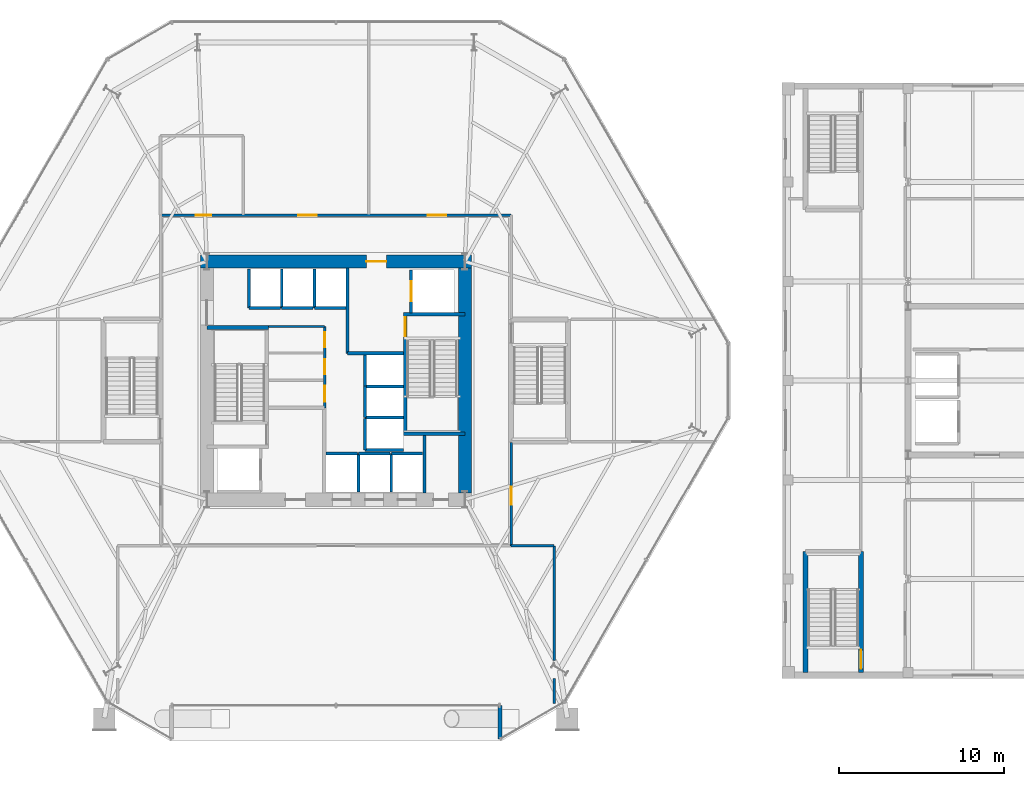
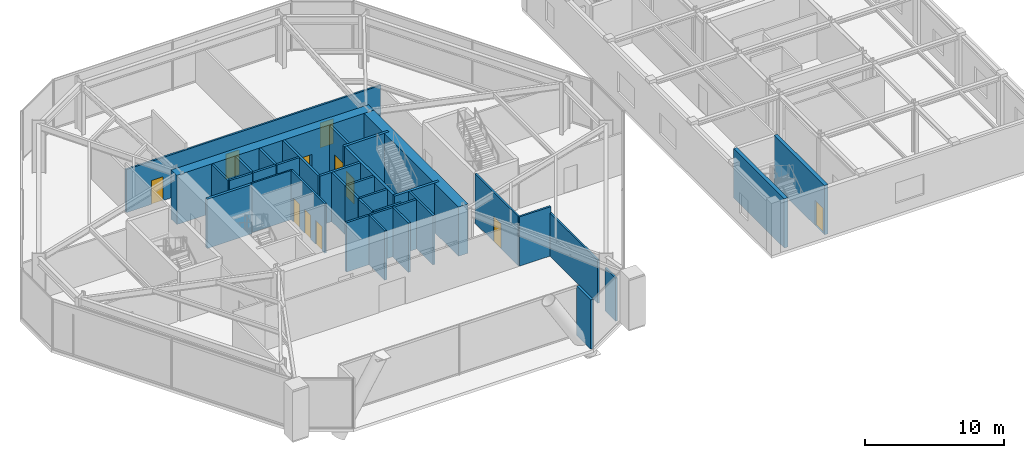
# One storey, part 16 of 23: 37 walls, 11 doors, 11 openings.
"""IFC4 building model written with IfcOpenShell, lengths in metres."""

from ifc_helpers import new_model, si_unit, direction, frame, frame_2d, origin, place, context, subcontext, project, spatial, rectangle, extrude, material, layer, layer_set, type_object, element, fill, save


model = new_model("IFC4")

# Units and contexts
model_context = context("Model", 3, precision=1e-05, world=origin(), true_north=direction((0.0, 1.0)))
body_context = subcontext(model_context, "Body", "Model", "MODEL_VIEW")
ifc_project = project(units=[si_unit("LENGTHUNIT", "METRE"), si_unit("AREAUNIT", "SQUARE_METRE"), si_unit("VOLUMEUNIT", "CUBIC_METRE"), si_unit("PLANEANGLEUNIT", "RADIAN"), si_unit("MASSUNIT", "GRAM", prefix="KILO")], contexts=[model_context])

# Site, building, storey
site_placement = place(None, origin())
site = spatial("IfcSite", under=ifc_project, at=site_placement, CompositionType="ELEMENT")
building_placement = place(site_placement, origin())
building = spatial("IfcBuilding", under=site, at=building_placement, Name="Kranzbogen Civic Tower", CompositionType="ELEMENT")
storey_placement = place(building_placement, frame((0.0, 0.0, 9.800048828125)))
storey = spatial("IfcBuildingStorey", under=building, at=storey_placement, Name="L02", CompositionType="ELEMENT", Elevation=9.800048828125)

# Wall, openings, doors
ifc_material_1 = material(Name="Double-Stud Acoustic Gypsum Partition")
ifc_layer_1 = layer(ifc_material_1, 0.14990234375, Name="Double-Stud Acoustic Gypsum Partition")
ifc_layer_set_1 = layer_set([ifc_layer_1], Name="Double-Stud Acoustic Gypsum Partition")
wall_type_1 = type_object("IfcWallType", Name="Acoustic Corridor and Clinical Partition 150 mm", PredefinedType="PARTITIONING", material=ifc_layer_set_1)
wall_1_placement = place(storey_placement, frame((14.39990234375, 35.0, 0.0), z_axis=(0.0, 0.0, 1.0), x_axis=(1.0, 0.0, 0.0)))
wall_1 = element("IfcWall", 1, at=wall_1_placement, inside=storey, type_object=wall_type_1, Name="L02 podium concourse N wall", PredefinedType="PARTITIONING", context=body_context, shape_type="SweptSolid", body=[
    extrude(rectangle(XDim=21.2001953125, YDim=0.14990234375, at=frame_2d((10.60009765625, 0.0))), origin(), (0.0, 0.0, 1.0), 3.7900390625),
])
opening_1_placement = place(wall_1_placement, frame((2.1201171875, 0.0, 0.0)))
opening_1 = element("IfcOpeningElement", 2, at=opening_1_placement, cuts=wall_1, Name="Opening D-AWC95", PredefinedType="OPENING", context=body_context, shape_type="SweptSolid", body=[
    extrude(rectangle(XDim=0.949951171875, YDim=2.10009765625, at=frame_2d((0.47509765625, 1.050048828125))), frame((0.0, 0.0849609375, 0.0), z_axis=(0.0, -1.0, 0.0), x_axis=(1.0, 0.0, 0.0)), (0.0, 0.0, 1.0), 0.169921875),
])
opening_2_placement = place(wall_1_placement, frame((8.339111328125, 0.0, 0.0)))
opening_2 = element("IfcOpeningElement", 3, at=opening_2_placement, cuts=wall_1, Name="Opening D-COR60", PredefinedType="OPENING", context=body_context, shape_type="SweptSolid", body=[
    extrude(rectangle(XDim=1.10009765625, YDim=2.199951171875, at=frame_2d((0.550048828125, 1.10009765625))), frame((0.0, 0.0849609375, 0.0), z_axis=(0.0, -1.0, 0.0), x_axis=(1.0, 0.0, 0.0)), (0.0, 0.0, 1.0), 0.169921875),
])
opening_3_placement = place(wall_1_placement, frame((16.166015625, 0.0, 0.0)))
opening_3 = element("IfcOpeningElement", 4, at=opening_3_placement, cuts=wall_1, Name="Opening D-COR60", PredefinedType="OPENING", context=body_context, shape_type="SweptSolid", body=[
    extrude(rectangle(XDim=1.10009765625, YDim=2.199951171875, at=frame_2d((0.550048828125, 1.10009765625))), frame((0.0, 0.0849609375, 0.0), z_axis=(0.0, -1.0, 0.0), x_axis=(1.0, 0.0, 0.0)), (0.0, 0.0, 1.0), 0.169921875),
])
ifc_material_2 = material(Name="Moisture-Resistant Laminate")
door_type_1 = type_object("IfcDoorType", Name="Accessible Restroom Door 950x2100", OperationType="NOTDEFINED", PredefinedType="DOOR", material=ifc_material_2)
door_1_placement = place(opening_1_placement, origin())
door_1 = element("IfcDoor", 5, at=door_1_placement, inside=storey, type_object=door_type_1, Name="L02 Public Restroom Suite door", OperationType="SINGLE_SWING_RIGHT", OverallHeight=2.10009765625, OverallWidth=0.949951171875, PredefinedType="DOOR", context=body_context, shape_type="SweptSolid", body=[
    extrude(rectangle(XDim=0.949951171875, YDim=2.10009765625, at=frame_2d((0.47509765625, 1.050048828125))), frame((0.0, 0.02490234375, 0.0), z_axis=(0.0, -1.0, 0.0), x_axis=(1.0, 0.0, 0.0)), (0.0, 0.0, 1.0), 0.050048828125),
])
fill(opening_1, door_1)
ifc_material_3 = material(Name="Oak Timber and Fire Core", Category="wood")
door_type_2 = type_object("IfcDoorType", Name="Corridor Acoustic Fire Door 1100x2200", OperationType="NOTDEFINED", PredefinedType="DOOR", material=ifc_material_3)
door_2_placement = place(opening_2_placement, origin())
door_2 = element("IfcDoor", 6, at=door_2_placement, inside=storey, type_object=door_type_2, Name="L02 Council Delegates Foyer door", OperationType="SINGLE_SWING_LEFT", OverallHeight=2.199951171875, OverallWidth=1.10009765625, PredefinedType="DOOR", context=body_context, shape_type="SweptSolid", body=[
    extrude(rectangle(XDim=1.10009765625, YDim=2.199951171875, at=frame_2d((0.550048828125, 1.10009765625))), frame((0.0, 0.02490234375, 0.0), z_axis=(0.0, -1.0, 0.0), x_axis=(1.0, 0.0, 0.0)), (0.0, 0.0, 1.0), 0.050048828125),
])
fill(opening_2, door_2)
door_3_placement = place(opening_3_placement, origin())
door_3 = element("IfcDoor", 7, at=door_3_placement, inside=storey, type_object=door_type_2, Name="L02 Caucus Briefing Room West door", OperationType="SINGLE_SWING_RIGHT", OverallHeight=2.199951171875, OverallWidth=1.10009765625, PredefinedType="DOOR", context=body_context, shape_type="SweptSolid", body=[
    extrude(rectangle(XDim=1.10009765625, YDim=2.199951171875, at=frame_2d((0.550048828125, 1.10009765625))), frame((0.0, 0.02490234375, 0.0), z_axis=(0.0, -1.0, 0.0), x_axis=(1.0, 0.0, 0.0)), (0.0, 0.0, 1.0), 0.050048828125),
])
fill(opening_3, door_3)

# Wall, opening, door
wall_2_placement = place(storey_placement, frame((35.60009765625, 15.0, 0.0), z_axis=(0.0, 0.0, 1.0), x_axis=(0.0, 1.0, 0.0)))
wall_2 = element("IfcWall", 8, at=wall_2_placement, inside=storey, type_object=wall_type_1, Name="L02 podium concourse E1 wall", PredefinedType="PARTITIONING", context=body_context, shape_type="SweptSolid", body=[
    extrude(rectangle(XDim=6.25, YDim=0.14990234375, at=frame_2d((3.125, 0.0))), origin(), (0.0, 0.0, 1.0), 4.33984375),
])
opening_4_placement = place(wall_2_placement, frame((2.486083984375, 0.0, 0.0)))
opening_4 = element("IfcOpeningElement", 9, at=opening_4_placement, cuts=wall_2, Name="Opening D-COR60", PredefinedType="OPENING", context=body_context, shape_type="SweptSolid", body=[
    extrude(rectangle(XDim=1.10009765625, YDim=2.199951171875, at=frame_2d((0.550048828125, 1.10009765625))), frame((0.0, 0.0849609375, 0.0), z_axis=(0.0, -1.0, 0.0), x_axis=(1.0, 0.0, 0.0)), (0.0, 0.0, 1.0), 0.169921875),
])
door_4_placement = place(opening_4_placement, origin())
door_4 = element("IfcDoor", 10, at=door_4_placement, inside=storey, type_object=door_type_2, Name="L02 Caucus Briefing Room East door", OperationType="SINGLE_SWING_LEFT", OverallHeight=2.199951171875, OverallWidth=1.10009765625, PredefinedType="DOOR", context=body_context, shape_type="SweptSolid", body=[
    extrude(rectangle(XDim=1.10009765625, YDim=2.199951171875, at=frame_2d((0.550048828125, 1.10009765625))), frame((0.0, 0.02490234375, 0.0), z_axis=(0.0, -1.0, 0.0), x_axis=(1.0, 0.0, 0.0)), (0.0, 0.0, 1.0), 0.050048828125),
])
fill(opening_4, door_4)

# Walls
wall_3_placement = place(storey_placement, frame((38.199951171875, 5.469970703125, 0.0), z_axis=(0.0, 0.0, 1.0), x_axis=(0.0, 1.0, 0.0)))
element("IfcWall", 11, at=wall_3_placement, inside=storey, type_object=wall_type_1, Name="L02 podium partition 05 part 1", PredefinedType="PARTITIONING", context=body_context, shape_type="SweptSolid", body=[
    extrude(rectangle(XDim=1.52197265625, YDim=0.14990234375, at=frame_2d((0.760986328125, 0.0))), origin(), (0.0, 0.0, 1.0), 3.7900390625),
])
wall_4_placement = place(storey_placement, frame((38.199951171875, 8.080078125, 0.0), z_axis=(0.0, 0.0, 1.0), x_axis=(0.0, 1.0, 0.0)))
element("IfcWall", 12, at=wall_4_placement, inside=storey, type_object=wall_type_1, Name="L02 podium partition 05 part 2", PredefinedType="PARTITIONING", context=body_context, shape_type="SweptSolid", body=[
    extrude(rectangle(XDim=6.919921875, YDim=0.14990234375, at=frame_2d((3.4599609375, 0.0))), origin(), (0.0, 0.0, 1.0), 3.7900390625),
])
wall_5_placement = place(storey_placement, frame((35.60009765625, 15.0, 0.0), z_axis=(0.0, 0.0, 1.0), x_axis=(1.0, 0.0, 0.0)))
element("IfcWall", 13, at=wall_5_placement, inside=storey, type_object=wall_type_1, Name="L02 podium partition 07", PredefinedType="PARTITIONING", context=body_context, shape_type="SweptSolid", body=[
    extrude(rectangle(XDim=2.599853515625, YDim=0.14990234375, at=frame_2d((1.2998046875, 0.0))), origin(), (0.0, 0.0, 1.0), 4.33984375),
])
ifc_material_4 = material(Name="Insulated Metal-Stud Gypsum Partition")
ifc_layer_2 = layer(ifc_material_4, 0.125, Name="Insulated Metal-Stud Gypsum Partition")
ifc_layer_set_2 = layer_set([ifc_layer_2], Name="Insulated Metal-Stud Gypsum Partition")
wall_type_2 = type_object("IfcWallType", Name="Acoustic Inter-Room Partition 125 mm", PredefinedType="PARTITIONING", material=ifc_layer_set_2)
wall_6_placement = place(storey_placement, frame((20.919921875, 28.280029296875, 0.0), z_axis=(0.0, 0.0, 1.0), x_axis=(1.0, 0.0, 0.0)))
element("IfcWall", 14, at=wall_6_placement, inside=storey, type_object=wall_type_2, Name="L02 core auxiliary North wall", PredefinedType="PARTITIONING", context=body_context, shape_type="SweptSolid", body=[
    extrude(rectangle(XDim=3.405029296875, YDim=0.125, at=frame_2d((1.70263671875, 0.0))), origin(), (0.0, 0.0, 1.0), 4.33984375),
])

# Wall, opening, door
ifc_material_5 = material(Name="Concrete C55/67", Category="concrete")
ifc_layer_3 = layer(ifc_material_5, 0.800048828125, Name="Concrete C55/67")
ifc_layer_set_3 = layer_set([ifc_layer_3], Name="Concrete C55/67")
wall_type_3 = type_object("IfcWallType", Name="Central Core Shear Wall 800 mm", PredefinedType="SHEAR", material=ifc_layer_set_3)
wall_7_placement = place(storey_placement, frame((33.199951171875, 32.199951171875, 0.0), z_axis=(0.0, 0.0, 1.0), x_axis=(-1.0, 0.0, 0.0)))
wall_7 = element("IfcWall", 15, at=wall_7_placement, inside=storey, type_object=wall_type_3, Name="L02 central core North shear wall", PredefinedType="SHEAR", context=body_context, shape_type="SweptSolid", body=[
    extrude(rectangle(XDim=16.39990234375, YDim=0.800048828125, at=frame_2d((8.199951171875, 0.0))), origin(), (0.0, 0.0, 1.0), 4.33984375),
])
opening_5_placement = place(wall_7_placement, frame((5.14990234375, 0.0, 0.0)))
opening_5 = element("IfcOpeningElement", 16, at=opening_5_placement, cuts=wall_7, Name="Opening D-EX120", PredefinedType="OPENING", context=body_context, shape_type="SweptSolid", body=[
    extrude(rectangle(XDim=1.199951171875, YDim=2.25, at=frame_2d((0.60009765625, 1.125))), frame((0.0, 0.41015625, 0.0), z_axis=(0.0, -1.0, 0.0), x_axis=(1.0, 0.0, 0.0)), (0.0, 0.0, 1.0), 0.820068359375),
])
ifc_material_6 = material(Name="Steel S355", Category="steel")
door_type_3 = type_object("IfcDoorType", Name="Exit Passageway Fire Door 1200x2250", OperationType="NOTDEFINED", PredefinedType="DOOR", material=ifc_material_6)
door_5_placement = place(opening_5_placement, origin())
door_5 = element("IfcDoor", 17, at=door_5_placement, inside=storey, type_object=door_type_3, Name="L02 East firefighting lobby corridor door", OperationType="SINGLE_SWING_RIGHT", OverallHeight=2.25, OverallWidth=1.199951171875, PredefinedType="DOOR", context=body_context, shape_type="SweptSolid", body=[
    extrude(rectangle(XDim=1.199951171875, YDim=2.25, at=frame_2d((0.60009765625, 1.125))), frame((0.0, 0.02490234375, 0.0), z_axis=(0.0, -1.0, 0.0), x_axis=(1.0, 0.0, 0.0)), (0.0, 0.0, 1.0), 0.050048828125),
])
fill(opening_5, door_5)

# Walls
wall_8_placement = place(storey_placement, frame((32.800048828125, 18.199951171875, 0.0), z_axis=(0.0, 0.0, 1.0), x_axis=(0.0, 1.0, 0.0)))
element("IfcWall", 18, at=wall_8_placement, inside=storey, type_object=wall_type_3, Name="L02 central core East shear wall", PredefinedType="SHEAR", context=body_context, shape_type="SweptSolid", body=[
    extrude(rectangle(XDim=13.60009765625, YDim=0.800048828125, at=frame_2d((6.800048828125, 0.0))), origin(), (0.0, 0.0, 1.0), 4.33984375),
])
ifc_material_7 = material(Name="Concrete C45/55", Category="concrete")
ifc_layer_4 = layer(ifc_material_7, 0.219970703125, Name="Concrete C45/55")
ifc_layer_set_4 = layer_set([ifc_layer_4], Name="Concrete C45/55")
wall_type_4 = type_object("IfcWallType", Name="Core Internal Stair Structural Wall 220 mm", PredefinedType="SOLIDWALL", material=ifc_layer_set_4)
wall_9_placement = place(storey_placement, frame((17.199951171875, 28.2099609375, 0.0), z_axis=(0.0, 0.0, 1.0), x_axis=(1.0, 0.0, 0.0)))
element("IfcWall", 19, at=wall_9_placement, inside=storey, type_object=wall_type_4, Name="L02 ST-T1 North structural stair wall", PredefinedType="SOLIDWALL", context=body_context, shape_type="SweptSolid", body=[
    extrude(rectangle(XDim=3.719970703125, YDim=0.219970703125, at=frame_2d((1.85986328125, 0.0))), origin(), (0.0, 0.0, 1.0), 4.33984375),
])

# Wall, opening, door
wall_10_placement = place(storey_placement, frame((29.18994140625, 21.7900390625, 0.0), z_axis=(0.0, 0.0, 1.0), x_axis=(0.0, 1.0, 0.0)))
wall_10 = element("IfcWall", 20, at=wall_10_placement, inside=storey, type_object=wall_type_4, Name="L02 ST-T2 West structural stair wall", PredefinedType="SOLIDWALL", context=body_context, shape_type="SweptSolid", body=[
    extrude(rectangle(XDim=7.219970703125, YDim=0.219970703125, at=frame_2d((3.60986328125, 0.0))), origin(), (0.0, 0.0, 1.0), 4.33984375),
])
opening_6_placement = place(wall_10_placement, frame((5.8798828125, 0.0, 0.0)))
opening_6 = element("IfcOpeningElement", 21, at=opening_6_placement, cuts=wall_10, Name="Opening D-ST90", PredefinedType="OPENING", context=body_context, shape_type="SweptSolid", body=[
    extrude(rectangle(XDim=1.14990234375, YDim=2.199951171875, at=frame_2d((0.574951171875, 1.10009765625))), frame((0.0, 0.1201171875, 0.0), z_axis=(0.0, -1.0, 0.0), x_axis=(1.0, 0.0, 0.0)), (0.0, 0.0, 1.0), 0.239990234375),
])
door_type_4 = type_object("IfcDoorType", Name="Pressurized Stair and Lobby Fire Door 1150x2200", OperationType="NOTDEFINED", PredefinedType="DOOR", material=ifc_material_6)
door_6_placement = place(opening_6_placement, origin())
door_6 = element("IfcDoor", 22, at=door_6_placement, inside=storey, type_object=door_type_4, Name="L02 Stair ST-T2 fire door", OperationType="SINGLE_SWING_RIGHT", OverallHeight=2.199951171875, OverallWidth=1.14990234375, PredefinedType="DOOR", context=body_context, shape_type="SweptSolid", body=[
    extrude(rectangle(XDim=1.14990234375, YDim=2.199951171875, at=frame_2d((0.574951171875, 1.10009765625))), frame((0.0, 0.02490234375, 0.0), z_axis=(0.0, -1.0, 0.0), x_axis=(1.0, 0.0, 0.0)), (0.0, 0.0, 1.0), 0.050048828125),
])
fill(opening_6, door_6)

# Walls
for number, where, z_axis, x_axis, name in (
    (23, (29.080078125, 21.7900390625, 0.0), (0.0, 0.0, 1.0), (1.0, 0.0, 0.0), "L02 ST-T2 South structural stair wall"),
    (24, (29.080078125, 29.010009765625, 0.0), (0.0, 0.0, 1.0), (1.0, 0.0, 0.0), "L02 ST-T2 North structural stair wall"),
):
    element("IfcWall", number, at=place(storey_placement, frame(where, z_axis=z_axis, x_axis=x_axis)), inside=storey, type_object=wall_type_4, Name=name, PredefinedType="SOLIDWALL", context=body_context, shape_type="SweptSolid", body=[
        extrude(rectangle(XDim=3.719970703125, YDim=0.219970703125, at=frame_2d((1.85986328125, 0.0))), origin(), (0.0, 0.0, 1.0), 4.33984375),
    ])
ifc_material_8 = material(Name="Gypsum Fireboard and Concrete Block", Category="concrete")
ifc_layer_5 = layer(ifc_material_8, 0.199951171875, Name="Gypsum Fireboard and Concrete Block")
ifc_layer_set_5 = layer_set([ifc_layer_5], Name="Gypsum Fireboard and Concrete Block")
wall_type_5 = type_object("IfcWallType", Name="Fire-Rated Exit Passageway and Stair Wall 200 mm", PredefinedType="PARTITIONING", material=ifc_layer_set_5)
wall_11_placement = place(storey_placement, frame((25.699951171875, 26.64990234375, 0.0), z_axis=(0.0, 0.0, 1.0), x_axis=(0.0, 1.0, 0.0)))
element("IfcWall", 25, at=wall_11_placement, inside=storey, type_object=wall_type_5, Name="L02 East firefighting lobby West wall", PredefinedType="PARTITIONING", context=body_context, shape_type="SweptSolid", body=[
    extrude(rectangle(XDim=5.150146484375, YDim=0.199951171875, at=frame_2d((2.5751953125, 0.0))), origin(), (0.0, 0.0, 1.0), 4.33984375),
])
wall_12_placement = place(storey_placement, frame((25.699951171875, 26.64990234375, 0.0), z_axis=(0.0, 0.0, 1.0), x_axis=(1.0, 0.0, 0.0)))
element("IfcWall", 26, at=wall_12_placement, inside=storey, type_object=wall_type_5, Name="L02 East firefighting lobby South wall", PredefinedType="PARTITIONING", context=body_context, shape_type="SweptSolid", body=[
    extrude(rectangle(XDim=3.380126953125, YDim=0.199951171875, at=frame_2d((1.68994140625, 0.0))), origin(), (0.0, 0.0, 1.0), 4.33984375),
])
ifc_material_9 = material(Name="Gypsum Fireboard Shaftliner")
ifc_layer_6 = layer(ifc_material_9, 0.175048828125, Name="Gypsum Fireboard Shaftliner")
ifc_layer_set_6 = layer_set([ifc_layer_6], Name="Gypsum Fireboard Shaftliner")
wall_type_6 = type_object("IfcWallType", Name="Fire-Rated Lift and Service Shaft Wall 175 mm", PredefinedType="PARTITIONING", material=ifc_layer_set_6)
wall_13_placement = place(storey_placement, frame((30.35009765625, 18.199951171875, 0.0), z_axis=(0.0, 0.0, 1.0), x_axis=(0.0, 1.0, 0.0)))
element("IfcWall", 27, at=wall_13_placement, inside=storey, type_object=wall_type_6, Name="L02 East core riser West wall", PredefinedType="PARTITIONING", context=body_context, shape_type="SweptSolid", body=[
    extrude(rectangle(XDim=3.47998046875, YDim=0.175048828125, at=frame_2d((1.739990234375, 0.0))), origin(), (0.0, 0.0, 1.0), 4.33984375),
])
wall_14_placement = place(storey_placement, frame((24.39990234375, 20.60009765625, 0.0), z_axis=(0.0, 0.0, 1.0), x_axis=(1.0, 0.0, 0.0)))
element("IfcWall", 28, at=wall_14_placement, inside=storey, type_object=wall_type_6, Name="L02 lift LP-01 rear wall", PredefinedType="PARTITIONING", context=body_context, shape_type="SweptSolid", body=[
    extrude(rectangle(XDim=1.900146484375, YDim=0.175048828125, at=frame_2d((0.9501953125, 0.0))), origin(), (0.0, 0.0, 1.0), 4.33984375),
])
wall_15_placement = place(storey_placement, frame((26.375, 20.60009765625, 0.0), z_axis=(0.0, 0.0, 1.0), x_axis=(1.0, 0.0, 0.0)))
element("IfcWall", 29, at=wall_15_placement, inside=storey, type_object=wall_type_6, Name="L02 lift LP-02 rear wall", PredefinedType="PARTITIONING", context=body_context, shape_type="SweptSolid", body=[
    extrude(rectangle(XDim=1.89990234375, YDim=0.175048828125, at=frame_2d((0.949951171875, 0.0))), origin(), (0.0, 0.0, 1.0), 4.33984375),
])
wall_16_placement = place(storey_placement, frame((26.375, 18.25, 0.0), z_axis=(0.0, 0.0, 1.0), x_axis=(0.0, 1.0, 0.0)))
element("IfcWall", 30, at=wall_16_placement, inside=storey, type_object=wall_type_6, Name="L02 lift LP-02 side wall", PredefinedType="PARTITIONING", context=body_context, shape_type="SweptSolid", body=[
    extrude(rectangle(XDim=2.35009765625, YDim=0.175048828125, at=frame_2d((1.175048828125, 0.0))), origin(), (0.0, 0.0, 1.0), 4.33984375),
])
wall_17_placement = place(storey_placement, frame((28.35009765625, 20.60009765625, 0.0), z_axis=(0.0, 0.0, 1.0), x_axis=(1.0, 0.0, 0.0)))
element("IfcWall", 31, at=wall_17_placement, inside=storey, type_object=wall_type_6, Name="L02 lift LP-03 rear wall", PredefinedType="PARTITIONING", context=body_context, shape_type="SweptSolid", body=[
    extrude(rectangle(XDim=1.89990234375, YDim=0.175048828125, at=frame_2d((0.949951171875, 0.0))), origin(), (0.0, 0.0, 1.0), 4.33984375),
])
wall_18_placement = place(storey_placement, frame((28.35009765625, 18.25, 0.0), z_axis=(0.0, 0.0, 1.0), x_axis=(0.0, 1.0, 0.0)))
element("IfcWall", 32, at=wall_18_placement, inside=storey, type_object=wall_type_6, Name="L02 lift LP-03 side wall", PredefinedType="PARTITIONING", context=body_context, shape_type="SweptSolid", body=[
    extrude(rectangle(XDim=2.35009765625, YDim=0.175048828125, at=frame_2d((1.175048828125, 0.0))), origin(), (0.0, 0.0, 1.0), 4.33984375),
])
wall_19_placement = place(storey_placement, frame((19.75, 29.39990234375, 0.0), z_axis=(0.0, 0.0, 1.0), x_axis=(1.0, 0.0, 0.0)))
element("IfcWall", 33, at=wall_19_placement, inside=storey, type_object=wall_type_6, Name="L02 lift MP-01 rear wall", PredefinedType="PARTITIONING", context=body_context, shape_type="SweptSolid", body=[
    extrude(rectangle(XDim=1.89990234375, YDim=0.175048828125, at=frame_2d((0.949951171875, 0.0))), origin(), (0.0, 0.0, 1.0), 4.33984375),
])
wall_20_placement = place(storey_placement, frame((19.75, 29.39990234375, 0.0), z_axis=(0.0, 0.0, 1.0), x_axis=(0.0, 1.0, 0.0)))
element("IfcWall", 34, at=wall_20_placement, inside=storey, type_object=wall_type_6, Name="L02 lift MP-01 side wall", PredefinedType="PARTITIONING", context=body_context, shape_type="SweptSolid", body=[
    extrude(rectangle(XDim=2.35009765625, YDim=0.175048828125, at=frame_2d((1.175048828125, 0.0))), origin(), (0.0, 0.0, 1.0), 4.33984375),
])
wall_21_placement = place(storey_placement, frame((21.72509765625, 29.39990234375, 0.0), z_axis=(0.0, 0.0, 1.0), x_axis=(1.0, 0.0, 0.0)))
element("IfcWall", 35, at=wall_21_placement, inside=storey, type_object=wall_type_6, Name="L02 lift MP-02 rear wall", PredefinedType="PARTITIONING", context=body_context, shape_type="SweptSolid", body=[
    extrude(rectangle(XDim=1.89990234375, YDim=0.175048828125, at=frame_2d((0.949951171875, 0.0))), origin(), (0.0, 0.0, 1.0), 4.33984375),
])
wall_22_placement = place(storey_placement, frame((21.72509765625, 29.39990234375, 0.0), z_axis=(0.0, 0.0, 1.0), x_axis=(0.0, 1.0, 0.0)))
element("IfcWall", 36, at=wall_22_placement, inside=storey, type_object=wall_type_6, Name="L02 lift MP-02 side wall", PredefinedType="PARTITIONING", context=body_context, shape_type="SweptSolid", body=[
    extrude(rectangle(XDim=2.35009765625, YDim=0.175048828125, at=frame_2d((1.175048828125, 0.0))), origin(), (0.0, 0.0, 1.0), 4.33984375),
])
wall_23_placement = place(storey_placement, frame((23.699951171875, 29.39990234375, 0.0), z_axis=(0.0, 0.0, 1.0), x_axis=(1.0, 0.0, 0.0)))
element("IfcWall", 37, at=wall_23_placement, inside=storey, type_object=wall_type_6, Name="L02 lift MP-03 rear wall", PredefinedType="PARTITIONING", context=body_context, shape_type="SweptSolid", body=[
    extrude(rectangle(XDim=1.900146484375, YDim=0.175048828125, at=frame_2d((0.9501953125, 0.0))), origin(), (0.0, 0.0, 1.0), 4.33984375),
])
wall_24_placement = place(storey_placement, frame((23.699951171875, 29.39990234375, 0.0), z_axis=(0.0, 0.0, 1.0), x_axis=(0.0, 1.0, 0.0)))
element("IfcWall", 38, at=wall_24_placement, inside=storey, type_object=wall_type_6, Name="L02 lift MP-03 side wall", PredefinedType="PARTITIONING", context=body_context, shape_type="SweptSolid", body=[
    extrude(rectangle(XDim=2.35009765625, YDim=0.175048828125, at=frame_2d((1.175048828125, 0.0))), origin(), (0.0, 0.0, 1.0), 4.33984375),
])
wall_25_placement = place(storey_placement, frame((26.75, 20.800048828125, 0.0), z_axis=(0.0, 0.0, 1.0), x_axis=(0.0, 1.0, 0.0)))
element("IfcWall", 39, at=wall_25_placement, inside=storey, type_object=wall_type_6, Name="L02 lift HP-01 landing wall", PredefinedType="PARTITIONING", context=body_context, shape_type="SweptSolid", body=[
    extrude(rectangle(XDim=1.89990234375, YDim=0.175048828125, at=frame_2d((0.949951171875, 0.0))), origin(), (0.0, 0.0, 1.0), 4.33984375),
])
wall_26_placement = place(storey_placement, frame((26.75, 20.800048828125, 0.0), z_axis=(0.0, 0.0, 1.0), x_axis=(1.0, 0.0, 0.0)))
element("IfcWall", 40, at=wall_26_placement, inside=storey, type_object=wall_type_6, Name="L02 lift HP-01 side wall", PredefinedType="PARTITIONING", context=body_context, shape_type="SweptSolid", body=[
    extrude(rectangle(XDim=2.35009765625, YDim=0.175048828125, at=frame_2d((1.175048828125, 0.0))), origin(), (0.0, 0.0, 1.0), 4.33984375),
])
wall_27_placement = place(storey_placement, frame((26.75, 22.77490234375, 0.0), z_axis=(0.0, 0.0, 1.0), x_axis=(0.0, 1.0, 0.0)))
element("IfcWall", 41, at=wall_27_placement, inside=storey, type_object=wall_type_6, Name="L02 lift HP-02 landing wall", PredefinedType="PARTITIONING", context=body_context, shape_type="SweptSolid", body=[
    extrude(rectangle(XDim=1.900146484375, YDim=0.175048828125, at=frame_2d((0.9501953125, 0.0))), origin(), (0.0, 0.0, 1.0), 4.33984375),
])
wall_28_placement = place(storey_placement, frame((26.75, 22.77490234375, 0.0), z_axis=(0.0, 0.0, 1.0), x_axis=(1.0, 0.0, 0.0)))
element("IfcWall", 42, at=wall_28_placement, inside=storey, type_object=wall_type_6, Name="L02 lift HP-02 side wall", PredefinedType="PARTITIONING", context=body_context, shape_type="SweptSolid", body=[
    extrude(rectangle(XDim=2.35009765625, YDim=0.175048828125, at=frame_2d((1.175048828125, 0.0))), origin(), (0.0, 0.0, 1.0), 4.33984375),
])
wall_29_placement = place(storey_placement, frame((26.75, 24.64990234375, 0.0), z_axis=(0.0, 0.0, 1.0), x_axis=(0.0, 1.0, 0.0)))
element("IfcWall", 43, at=wall_29_placement, inside=storey, type_object=wall_type_6, Name="L02 lift HP-03 landing wall", PredefinedType="PARTITIONING", context=body_context, shape_type="SweptSolid", body=[
    extrude(rectangle(XDim=1.900146484375, YDim=0.175048828125, at=frame_2d((0.9501953125, 0.0))), origin(), (0.0, 0.0, 1.0), 4.33984375),
])
wall_30_placement = place(storey_placement, frame((26.75, 24.64990234375, 0.0), z_axis=(0.0, 0.0, 1.0), x_axis=(1.0, 0.0, 0.0)))
element("IfcWall", 44, at=wall_30_placement, inside=storey, type_object=wall_type_6, Name="L02 lift HP-03 side wall", PredefinedType="PARTITIONING", context=body_context, shape_type="SweptSolid", body=[
    extrude(rectangle(XDim=2.35009765625, YDim=0.175048828125, at=frame_2d((1.175048828125, 0.0))), origin(), (0.0, 0.0, 1.0), 4.33984375),
])

# Wall, opening, door
wall_31_placement = place(storey_placement, frame((29.550048828125, 29.10009765625, 0.0), z_axis=(0.0, 0.0, 1.0), x_axis=(0.0, 1.0, 0.0)))
wall_31 = element("IfcWall", 45, at=wall_31_placement, inside=storey, type_object=wall_type_6, Name="L02 lift FF-02 landing wall", PredefinedType="PARTITIONING", context=body_context, shape_type="SweptSolid", body=[
    extrude(rectangle(XDim=2.599853515625, YDim=0.175048828125, at=frame_2d((1.2998046875, 0.0))), origin(), (0.0, 0.0, 1.0), 4.33984375),
])
opening_7_placement = place(wall_31_placement, frame((0.699951171875, 0.0, 0.0)))
opening_7 = element("IfcOpeningElement", 46, at=opening_7_placement, cuts=wall_31, Name="Opening LD-FF-02", PredefinedType="OPENING", context=body_context, shape_type="SweptSolid", body=[
    extrude(rectangle(XDim=1.199951171875, YDim=2.199951171875, at=frame_2d((0.60009765625, 1.10009765625))), frame((0.0, 0.09765625, 0.0), z_axis=(0.0, -1.0, 0.0), x_axis=(1.0, 0.0, 0.0)), (0.0, 0.0, 1.0), 0.195068359375),
])
ifc_material_10 = material(Name="Pale Anodised Aluminium", Category="aluminium")
door_type_5 = type_object("IfcDoorType", Name="Firefighting and Stretcher Lift Sliding Landing Door 1200x2200", OperationType="DOUBLE_DOOR_SLIDING", PredefinedType="DOOR", material=ifc_material_10)
door_7_placement = place(opening_7_placement, origin())
door_7 = element("IfcDoor", 47, at=door_7_placement, inside=storey, type_object=door_type_5, Name="L02 lift FF-02 sliding landing door", OperationType="DOUBLE_DOOR_SLIDING", OverallHeight=2.199951171875, OverallWidth=1.199951171875, PredefinedType="DOOR", context=body_context, shape_type="SweptSolid", body=[
    extrude(rectangle(XDim=1.199951171875, YDim=2.199951171875, at=frame_2d((0.60009765625, 1.10009765625))), frame((0.0, 0.02490234375, 0.0), z_axis=(0.0, -1.0, 0.0), x_axis=(1.0, 0.0, 0.0)), (0.0, 0.0, 1.0), 0.050048828125),
])
fill(opening_7, door_7)

# Wall
ifc_layer_7 = layer(ifc_material_10, 0.239990234375, Name="Pale Anodised Aluminium")
ifc_layer_set_7 = layer_set([ifc_layer_7], Name="Pale Anodised Aluminium")
wall_type_7 = type_object("IfcWallType", Name="Insulated Aluminium Facade Portal Wall 240 mm", PredefinedType="STANDARD", material=ifc_layer_set_7)
wall_32_placement = place(storey_placement, frame((34.929931640625, 5.35009765625, 0.0), z_axis=(0.0, 0.0, 1.0), x_axis=(0.0, -1.0, 0.0)))
element("IfcWall", 48, at=wall_32_placement, inside=storey, type_object=wall_type_7, Name="L02 portal colonnade East return wall", PredefinedType="STANDARD", context=body_context, shape_type="SweptSolid", body=[
    extrude(rectangle(XDim=2.023193359375, YDim=0.239990234375, at=frame_2d((1.01171875, 0.0))), origin(), (0.0, 0.0, 1.0), 4.33984375),
])

# Wall, openings, doors
ifc_material_11 = material(Name="Moisture-Resistant Gypsum Assembly")
ifc_layer_8 = layer(ifc_material_11, 0.159912109375, Name="Moisture-Resistant Gypsum Assembly")
ifc_layer_set_8 = layer_set([ifc_layer_8], Name="Moisture-Resistant Gypsum Assembly")
wall_type_8 = type_object("IfcWallType", Name="Sanitary and Plumbing Wet Wall 160 mm", PredefinedType="PLUMBINGWALL", material=ifc_layer_set_8)
wall_33_placement = place(storey_placement, frame((24.324951171875, 23.35009765625, 0.0), z_axis=(0.0, 0.0, 1.0), x_axis=(0.0, 1.0, 0.0)))
wall_33 = element("IfcWall", 49, at=wall_33_placement, inside=storey, type_object=wall_type_8, Name="L02 core auxiliary East wall", PredefinedType="PLUMBINGWALL", context=body_context, shape_type="SweptSolid", body=[
    extrude(rectangle(XDim=4.929931640625, YDim=0.159912109375, at=frame_2d((2.46484375, 0.0))), origin(), (0.0, 0.0, 1.0), 4.33984375),
])
opening_8_placement = place(wall_33_placement, frame((0.375, 0.0, 0.0)))
opening_8 = element("IfcOpeningElement", 50, at=opening_8_placement, cuts=wall_33, Name="Opening D-AWC95", PredefinedType="OPENING", context=body_context, shape_type="SweptSolid", body=[
    extrude(rectangle(XDim=0.949951171875, YDim=2.10009765625, at=frame_2d((0.47509765625, 1.050048828125))), frame((0.0, 0.08984375, 0.0), z_axis=(0.0, -1.0, 0.0), x_axis=(1.0, 0.0, 0.0)), (0.0, 0.0, 1.0), 0.179931640625),
])
opening_9_placement = place(wall_33_placement, frame((2.034912109375, 0.0, 0.0)))
opening_9 = element("IfcOpeningElement", 51, at=opening_9_placement, cuts=wall_33, Name="Opening D-WC90", PredefinedType="OPENING", context=body_context, shape_type="SweptSolid", body=[
    extrude(rectangle(XDim=0.89990234375, YDim=2.10009765625, at=frame_2d((0.449951171875, 1.050048828125))), frame((0.0, 0.08984375, 0.0), z_axis=(0.0, -1.0, 0.0), x_axis=(1.0, 0.0, 0.0)), (0.0, 0.0, 1.0), 0.179931640625),
])
opening_10_placement = place(wall_33_placement, frame((3.659912109375, 0.0, 0.0)))
opening_10 = element("IfcOpeningElement", 52, at=opening_10_placement, cuts=wall_33, Name="Opening D-WC90", PredefinedType="OPENING", context=body_context, shape_type="SweptSolid", body=[
    extrude(rectangle(XDim=0.89990234375, YDim=2.10009765625, at=frame_2d((0.449951171875, 1.050048828125))), frame((0.0, 0.08984375, 0.0), z_axis=(0.0, -1.0, 0.0), x_axis=(1.0, 0.0, 0.0)), (0.0, 0.0, 1.0), 0.179931640625),
])
door_8_placement = place(opening_8_placement, origin())
door_8 = element("IfcDoor", 53, at=door_8_placement, inside=storey, type_object=door_type_1, Name="L02 Accessible Restroom door", OperationType="SINGLE_SWING_LEFT", OverallHeight=2.10009765625, OverallWidth=0.949951171875, PredefinedType="DOOR", context=body_context, shape_type="SweptSolid", body=[
    extrude(rectangle(XDim=0.949951171875, YDim=2.10009765625, at=frame_2d((0.47509765625, 1.050048828125))), frame((0.0, 0.02490234375, 0.0), z_axis=(0.0, -1.0, 0.0), x_axis=(1.0, 0.0, 0.0)), (0.0, 0.0, 1.0), 0.050048828125),
])
fill(opening_8, door_8)
door_type_6 = type_object("IfcDoorType", Name="Standard Restroom and Store Door 900x2100", OperationType="NOTDEFINED", PredefinedType="DOOR", material=ifc_material_2)
door_9_placement = place(opening_9_placement, origin())
door_9 = element("IfcDoor", 54, at=door_9_placement, inside=storey, type_object=door_type_6, Name="L02 Staff Restroom door", OperationType="SINGLE_SWING_RIGHT", OverallHeight=2.10009765625, OverallWidth=0.89990234375, PredefinedType="DOOR", context=body_context, shape_type="SweptSolid", body=[
    extrude(rectangle(XDim=0.89990234375, YDim=2.10009765625, at=frame_2d((0.449951171875, 1.050048828125))), frame((0.0, 0.02490234375, 0.0), z_axis=(0.0, -1.0, 0.0), x_axis=(1.0, 0.0, 0.0)), (0.0, 0.0, 1.0), 0.050048828125),
])
fill(opening_9, door_9)
door_10_placement = place(opening_10_placement, origin())
door_10 = element("IfcDoor", 55, at=door_10_placement, inside=storey, type_object=door_type_6, Name="L02 Cleaner and Janitor Store door", OperationType="SINGLE_SWING_LEFT", OverallHeight=2.10009765625, OverallWidth=0.89990234375, PredefinedType="DOOR", context=body_context, shape_type="SweptSolid", body=[
    extrude(rectangle(XDim=0.89990234375, YDim=2.10009765625, at=frame_2d((0.449951171875, 1.050048828125))), frame((0.0, 0.02490234375, 0.0), z_axis=(0.0, -1.0, 0.0), x_axis=(1.0, 0.0, 0.0)), (0.0, 0.0, 1.0), 0.050048828125),
])
fill(opening_10, door_10)

# Wall, opening, door
ifc_material_12 = material(Name="Concrete C40/50", Category="concrete")
ifc_layer_9 = layer(ifc_material_12, 0.300048828125, Name="Concrete C40/50")
ifc_layer_set_9 = layer_set([ifc_layer_9], Name="Concrete C40/50")
wall_type_9 = type_object("IfcWallType", Name="Structural Ramp and Stair Shaft Wall 300 mm", PredefinedType="SOLIDWALL", material=ifc_layer_set_9)
wall_34_placement = place(storey_placement, frame((56.75, 7.35009765625, 0.0), z_axis=(0.0, 0.0, 1.0), x_axis=(0.0, 1.0, 0.0)))
wall_34 = element("IfcWall", 56, at=wall_34_placement, inside=storey, type_object=wall_type_9, Name="L02 STH1 E structural stair wall", PredefinedType="SOLIDWALL", context=body_context, shape_type="SweptSolid", body=[
    extrude(rectangle(XDim=7.2998046875, YDim=0.300048828125, at=frame_2d((3.64990234375, 0.0))), origin(), (0.0, 0.0, 1.0), 4.33984375),
])
opening_11_placement = place(wall_34_placement, frame((0.219970703125, 0.0, 0.0)))
opening_11 = element("IfcOpeningElement", 57, at=opening_11_placement, cuts=wall_34, Name="Opening D-ST90", PredefinedType="OPENING", context=body_context, shape_type="SweptSolid", body=[
    extrude(rectangle(XDim=1.14990234375, YDim=2.199951171875, at=frame_2d((0.574951171875, 1.10009765625))), frame((0.0, 0.16015625, 0.0), z_axis=(0.0, -1.0, 0.0), x_axis=(1.0, 0.0, 0.0)), (0.0, 0.0, 1.0), 0.320068359375),
])
door_11_placement = place(opening_11_placement, origin())
door_11 = element("IfcDoor", 58, at=door_11_placement, inside=storey, type_object=door_type_4, Name="L02 Health Centre Stair 1 fire door", OperationType="SINGLE_SWING_LEFT", OverallHeight=2.199951171875, OverallWidth=1.14990234375, PredefinedType="DOOR", context=body_context, shape_type="SweptSolid", body=[
    extrude(rectangle(XDim=1.14990234375, YDim=2.199951171875, at=frame_2d((0.574951171875, 1.10009765625))), frame((0.0, 0.02490234375, 0.0), z_axis=(0.0, -1.0, 0.0), x_axis=(1.0, 0.0, 0.0)), (0.0, 0.0, 1.0), 0.050048828125),
])
fill(opening_11, door_11)

# Wall
wall_35_placement = place(storey_placement, frame((53.39990234375, 7.35009765625, 0.0), z_axis=(0.0, 0.0, 1.0), x_axis=(0.0, 1.0, 0.0)))
element("IfcWall", 59, at=wall_35_placement, inside=storey, type_object=wall_type_9, Name="L02 STH1 W structural stair wall", PredefinedType="SOLIDWALL", context=body_context, shape_type="SweptSolid", body=[
    extrude(rectangle(XDim=7.2998046875, YDim=0.300048828125, at=frame_2d((3.64990234375, 0.0))), origin(), (0.0, 0.0, 1.0), 4.33984375),
])

save(model, "model.ifc")
